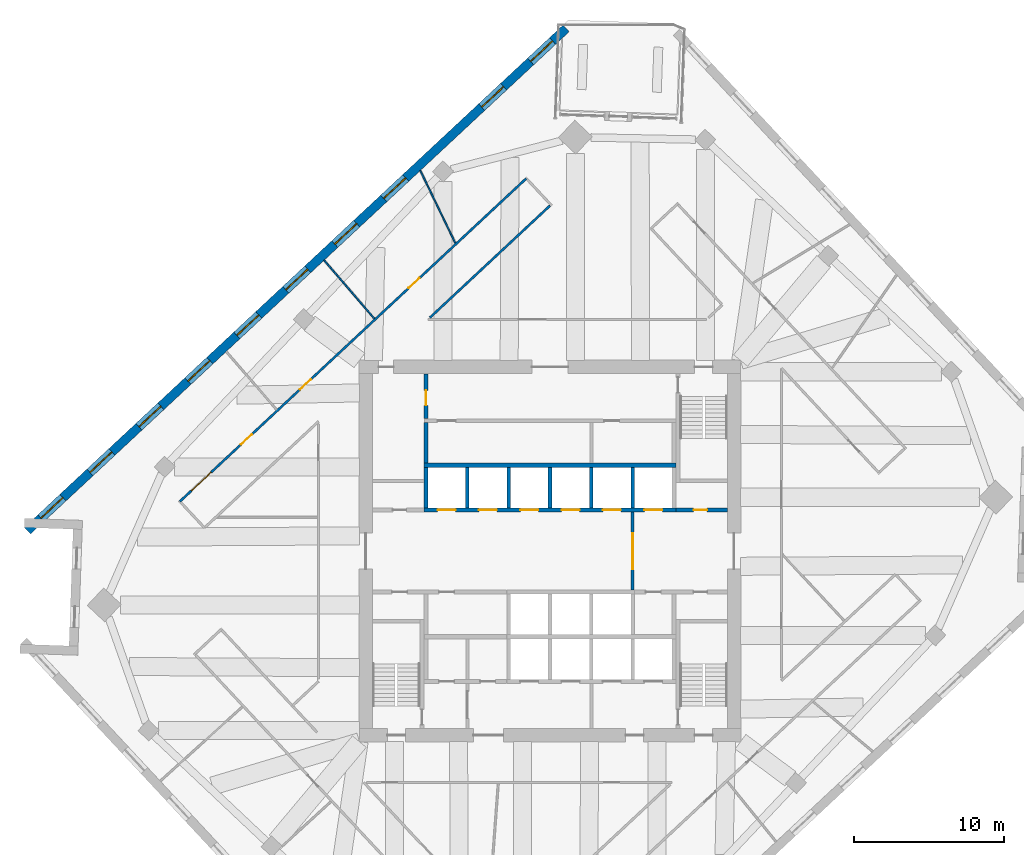
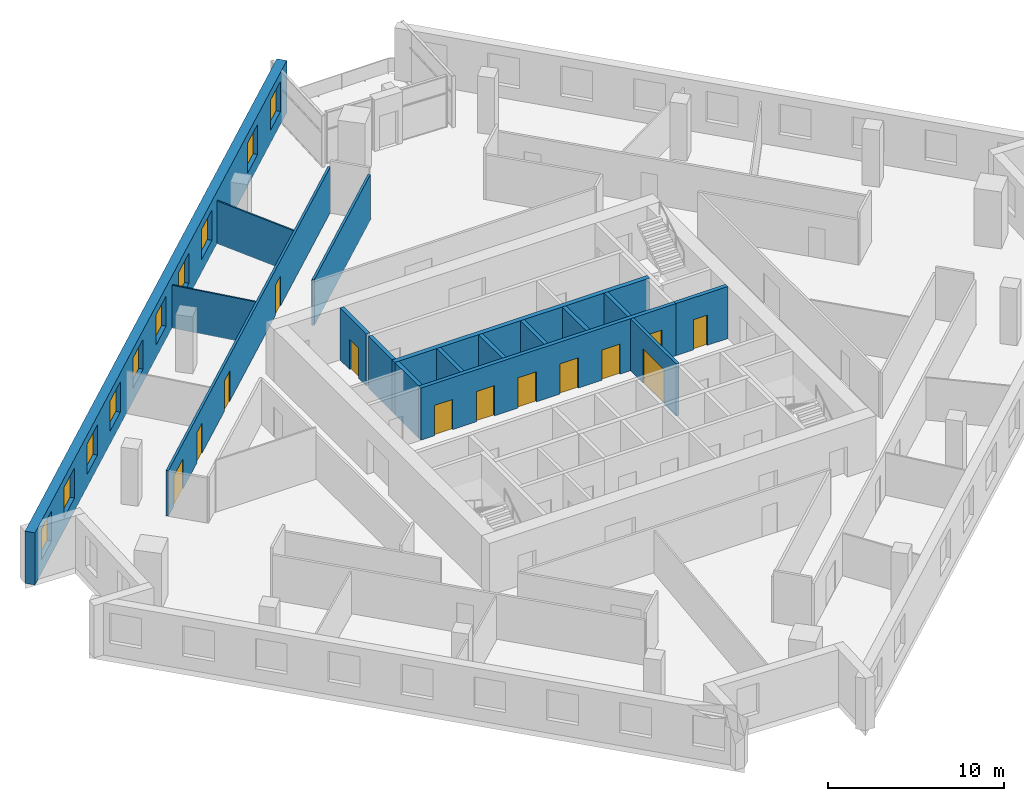
# One storey, part 6 of 10: 17 walls, 13 doors, 10 windows, 23 openings.
"""IFC4 building model written with IfcOpenShell, lengths in metres."""

from ifc_helpers import new_model, si_unit, direction, frame, frame_2d, origin, place, context, subcontext, project, spatial, rectangle, extrude, material, layer, layer_set, type_object, element, fill, save


model = new_model("IFC4")

# Units and contexts
model_context = context("Model", 3, precision=1e-05, world=origin(), true_north=direction((0.0, 1.0)))
body_context = subcontext(model_context, "Body", "Model", "MODEL_VIEW")
ifc_project = project(units=[si_unit("LENGTHUNIT", "METRE"), si_unit("AREAUNIT", "SQUARE_METRE"), si_unit("VOLUMEUNIT", "CUBIC_METRE"), si_unit("PLANEANGLEUNIT", "RADIAN"), si_unit("MASSUNIT", "GRAM", prefix="KILO")], contexts=[model_context])

# Site, building, storey
site_placement = place(None, origin())
site = spatial("IfcSite", under=ifc_project, at=site_placement, CompositionType="ELEMENT")
building_placement = place(site_placement, origin())
building = spatial("IfcBuilding", under=site, at=building_placement, Name="Dilmun Exchange Tower", CompositionType="ELEMENT")
storey_placement = place(building_placement, frame((0.0, 0.0, 197.300048828125)))
storey = spatial("IfcBuildingStorey", under=building, at=storey_placement, Name="L46", CompositionType="ELEMENT", Elevation=197.300048828125)

# Wall, opening, door
ifc_material_1 = material(Name="Concrete C40/50", Category="concrete")
ifc_layer_1 = layer(ifc_material_1, 0.199951171875)
ifc_layer_set_1 = layer_set([ifc_layer_1], Name="Concrete C40/50")
wall_type_1 = type_object("IfcWallType", Name="Core partition wall 200", PredefinedType="PARTITIONING", material=ifc_layer_set_1)
wall_1_placement = place(storey_placement, frame((5.5, -2.594970703125, 0.0), z_axis=(0.0, 0.0, 1.0), x_axis=(0.0, 1.0, 0.0)))
wall_1 = element("IfcWall", 1, at=wall_1_placement, inside=storey, type_object=wall_type_1, Name="L46 core partition wall 11", PredefinedType="PARTITIONING", context=body_context, shape_type="SweptSolid", body=[
    extrude(rectangle(XDim=5.18994140625, YDim=0.199951171875, at=frame_2d((2.594970703125, 0.0))), origin(), (0.0, 0.0, 1.0), 3.619873046875),
])
opening_1_placement = place(wall_1_placement, frame((1.39501953125, 0.0, 0.0)))
opening_1 = element("IfcOpeningElement", 2, at=opening_1_placement, cuts=wall_1, Name="Opening CD1", PredefinedType="OPENING", context=body_context, shape_type="SweptSolid", body=[
    extrude(rectangle(XDim=2.39990234375, YDim=2.39990234375, at=frame_2d((1.199951171875, 1.199951171875))), frame((0.0, 0.10986328125, 0.0), z_axis=(0.0, -1.0, 0.0), x_axis=(1.0, 0.0, 0.0)), (0.0, 0.0, 1.0), 0.219970703125),
])
ifc_material_2 = material(Name="Fire-rated steel door set", Category="steel")
door_type_1 = type_object("IfcDoorType", Name="Core lobby door 2400x2400", OperationType="DOUBLE_DOOR_DOUBLE_SWING", PredefinedType="DOOR", material=ifc_material_2)
door_1_placement = place(opening_1_placement, origin())
door_1 = element("IfcDoor", 3, at=door_1_placement, inside=storey, type_object=door_type_1, Name="L46 door Lift lobby east", OperationType="SINGLE_SWING_LEFT", OverallHeight=2.39990234375, OverallWidth=2.39990234375, PredefinedType="DOOR", context=body_context, shape_type="SweptSolid", body=[
    extrude(rectangle(XDim=2.39990234375, YDim=2.39990234375, at=frame_2d((1.199951171875, 1.199951171875))), frame((0.0, 0.02490234375, 0.0), z_axis=(0.0, -1.0, 0.0), x_axis=(1.0, 0.0, 0.0)), (0.0, 0.0, 1.0), 0.050048828125),
])
fill(opening_1, door_1)

ifc_layer_2 = layer(ifc_material_1, 0.25)
ifc_layer_set_2 = layer_set([ifc_layer_2], Name="Concrete C40/50")
wall_type_2 = type_object("IfcWallType", Name="Core partition wall 250", PredefinedType="PARTITIONING", material=ifc_layer_set_2)
wall_2_placement = place(storey_placement, frame((8.3798828125, 2.72509765625, 0.0), z_axis=(0.0, 0.0, 1.0), x_axis=(1.0, 0.0, 0.0)))
wall_2 = element("IfcWall", 4, at=wall_2_placement, inside=storey, type_object=wall_type_2, Name="L46 core partition wall 13", PredefinedType="PARTITIONING", context=body_context, shape_type="SweptSolid", body=[
    extrude(rectangle(XDim=3.4150390625, YDim=0.25, at=frame_2d((1.70751953125, 0.0))), origin(), (0.0, 0.0, 1.0), 3.619873046875),
])
opening_2_placement = place(wall_2_placement, frame((1.169921875, 0.0, 0.0)))
opening_2 = element("IfcOpeningElement", 5, at=opening_2_placement, cuts=wall_2, Name="Opening CD6", PredefinedType="OPENING", context=body_context, shape_type="SweptSolid", body=[
    extrude(rectangle(XDim=0.89990234375, YDim=2.10009765625, at=frame_2d((0.449951171875, 1.050048828125))), frame((0.0, 0.135009765625, 0.0), z_axis=(0.0, -1.0, 0.0), x_axis=(1.0, 0.0, 0.0)), (0.0, 0.0, 1.0), 0.27001953125),
])
door_type_2 = type_object("IfcDoorType", Name="Core room door 900x2100", OperationType="SINGLE_SWING_LEFT", PredefinedType="DOOR", material=ifc_material_2)
door_2_placement = place(opening_2_placement, origin())
door_2 = element("IfcDoor", 6, at=door_2_placement, inside=storey, type_object=door_type_2, Name="L46 door Electrical riser", OperationType="SINGLE_SWING_LEFT", OverallHeight=2.10009765625, OverallWidth=0.89990234375, PredefinedType="DOOR", context=body_context, shape_type="SweptSolid", body=[
    extrude(rectangle(XDim=0.89990234375, YDim=2.10009765625, at=frame_2d((0.449951171875, 1.050048828125))), frame((0.0, 0.02490234375, 0.0), z_axis=(0.0, -1.0, 0.0), x_axis=(1.0, 0.0, 0.0)), (0.0, 0.0, 1.0), 0.050048828125),
])
fill(opening_2, door_2)

# Wall
wall_3_placement = place(storey_placement, frame((-8.25, 5.85498046875, 0.0), z_axis=(0.0, 0.0, 1.0), x_axis=(0.0, 1.0, 0.0)))
element("IfcWall", 7, at=wall_3_placement, inside=storey, type_object=wall_type_2, Name="L46 core partition wall 15", PredefinedType="PARTITIONING", context=body_context, shape_type="SweptSolid", body=[
    extrude(rectangle(XDim=2.68994140625, YDim=0.25, at=frame_2d((1.344970703125, 0.0))), origin(), (0.0, 0.0, 1.0), 3.619873046875),
])

# Wall, opening, door
wall_4_placement = place(storey_placement, frame((-8.25, 8.804931640625, 0.0), z_axis=(0.0, 0.0, 1.0), x_axis=(0.0, 1.0, 0.0)))
wall_4 = element("IfcWall", 8, at=wall_4_placement, inside=storey, type_object=wall_type_2, Name="L46 core partition wall 19", PredefinedType="PARTITIONING", context=body_context, shape_type="SweptSolid", body=[
    extrude(rectangle(XDim=2.989990234375, YDim=0.25, at=frame_2d((1.4951171875, 0.0))), origin(), (0.0, 0.0, 1.0), 3.619873046875),
])
opening_3_placement = place(wall_4_placement, frame((0.89501953125, 0.0, 0.0)))
opening_3 = element("IfcOpeningElement", 9, at=opening_3_placement, cuts=wall_4, Name="Opening CD4", PredefinedType="OPENING", context=body_context, shape_type="SweptSolid", body=[
    extrude(rectangle(XDim=1.0, YDim=2.10009765625, at=frame_2d((0.5, 1.050048828125))), frame((0.0, 0.135009765625, 0.0), z_axis=(0.0, -1.0, 0.0), x_axis=(1.0, 0.0, 0.0)), (0.0, 0.0, 1.0), 0.27001953125),
])
door_type_3 = type_object("IfcDoorType", Name="Core room door 1000x2100", OperationType="SINGLE_SWING_LEFT", PredefinedType="DOOR", material=ifc_material_2)
door_3_placement = place(opening_3_placement, origin())
door_3 = element("IfcDoor", 10, at=door_3_placement, inside=storey, type_object=door_type_3, Name="L46 door Facilities office", OperationType="SINGLE_SWING_LEFT", OverallHeight=2.10009765625, OverallWidth=1.0, PredefinedType="DOOR", context=body_context, shape_type="SweptSolid", body=[
    extrude(rectangle(XDim=1.0, YDim=2.10009765625, at=frame_2d((0.5, 1.050048828125))), frame((0.0, 0.02490234375, 0.0), z_axis=(0.0, -1.0, 0.0), x_axis=(1.0, 0.0, 0.0)), (0.0, 0.0, 1.0), 0.050048828125),
])
fill(opening_3, door_3)

# Wall, openings, doors
ifc_material_3 = material(Name="Corridor wall 150")
ifc_layer_3 = layer(ifc_material_3, 0.14990234375)
ifc_layer_set_3 = layer_set([ifc_layer_3], Name="Corridor wall 150")
wall_type_3 = type_object("IfcWallType", Name="Corridor wall 150", PredefinedType="PARTITIONING", material=ifc_layer_set_3)
wall_5_placement = place(storey_placement, frame((-24.623046875, 3.301025390625, 0.0), z_axis=(0.0, 0.0, 1.0), x_axis=(0.731351215564, 0.68200102602, 0.0)))
wall_5 = element("IfcWall", 11, at=wall_5_placement, inside=storey, type_object=wall_type_3, Name="Corridor wall", PredefinedType="PARTITIONING", context=body_context, shape_type="SweptSolid", body=[
    extrude(rectangle(XDim=31.51318359375, YDim=0.14990234375, at=frame_2d((15.756591796875, 0.0))), origin(), (0.0, 0.0, 1.0), 3.169921875),
])
opening_4_placement = place(wall_5_placement, frame((1.05029296875, 0.0, 0.0)))
opening_4 = element("IfcOpeningElement", 12, at=opening_4_placement, cuts=wall_5, Name="Opening TF46-D01", PredefinedType="OPENING", context=body_context, shape_type="SweptSolid", body=[
    extrude(rectangle(XDim=1.800048828125, YDim=2.10009765625, at=frame_2d((0.89990234375, 1.050048828125))), frame((0.0, 0.0849609375, 0.0), z_axis=(0.0, -1.0, 0.0), x_axis=(1.0, 0.0, 0.0)), (0.0, 0.0, 1.0), 0.169921875),
])
opening_5_placement = place(wall_5_placement, frame((5.55029296875, 0.0, 0.0)))
opening_5 = element("IfcOpeningElement", 13, at=opening_5_placement, cuts=wall_5, Name="Opening TF46-D02", PredefinedType="OPENING", context=body_context, shape_type="SweptSolid", body=[
    extrude(rectangle(XDim=1.0, YDim=2.10009765625, at=frame_2d((0.5, 1.050048828125))), frame((0.0, 0.0849609375, 0.0), z_axis=(0.0, -1.0, 0.0), x_axis=(1.0, 0.0, 0.0)), (0.0, 0.0, 1.0), 0.169921875),
])
opening_6_placement = place(wall_5_placement, frame((10.91748046875, 0.0, 0.0)))
opening_6 = element("IfcOpeningElement", 14, at=opening_6_placement, cuts=wall_5, Name="Opening TF46-D05", PredefinedType="OPENING", context=body_context, shape_type="SweptSolid", body=[
    extrude(rectangle(XDim=1.0, YDim=2.10009765625, at=frame_2d((0.5, 1.050048828125))), frame((0.0, 0.0849609375, 0.0), z_axis=(0.0, -1.0, 0.0), x_axis=(1.0, 0.0, 0.0)), (0.0, 0.0, 1.0), 0.169921875),
])
opening_7_placement = place(wall_5_placement, frame((20.8125, 0.0, 0.0)))
opening_7 = element("IfcOpeningElement", 15, at=opening_7_placement, cuts=wall_5, Name="Opening TF46-D06", PredefinedType="OPENING", context=body_context, shape_type="SweptSolid", body=[
    extrude(rectangle(XDim=1.0, YDim=2.10009765625, at=frame_2d((0.5, 1.050048828125))), frame((0.0, 0.0849609375, 0.0), z_axis=(0.0, -1.0, 0.0), x_axis=(1.0, 0.0, 0.0)), (0.0, 0.0, 1.0), 0.169921875),
])
ifc_material_4 = material(Name="Fire door 1000 x 2100")
door_type_4 = type_object("IfcDoorType", Name="Fire door 1000 x 2100", OperationType="NOTDEFINED", PredefinedType="DOOR", material=ifc_material_4)
door_4_placement = place(opening_5_placement, origin())
door_4 = element("IfcDoor", 16, at=door_4_placement, inside=storey, type_object=door_type_4, Name="Door TF46-D02", OperationType="SINGLE_SWING_LEFT", OverallHeight=2.10009765625, OverallWidth=1.0, PredefinedType="DOOR", context=body_context, shape_type="SweptSolid", body=[
    extrude(rectangle(XDim=1.0, YDim=2.10009765625, at=frame_2d((0.5, 1.050048828125))), frame((0.0, 0.02490234375, 0.0), z_axis=(0.0, -1.0, 0.0), x_axis=(1.0, 0.0, 0.0)), (0.0, 0.0, 1.0), 0.050048828125),
])
fill(opening_5, door_4)
door_5_placement = place(opening_6_placement, origin())
door_5 = element("IfcDoor", 17, at=door_5_placement, inside=storey, type_object=door_type_4, Name="Door TF46-D05", OperationType="SINGLE_SWING_RIGHT", OverallHeight=2.10009765625, OverallWidth=1.0, PredefinedType="DOOR", context=body_context, shape_type="SweptSolid", body=[
    extrude(rectangle(XDim=1.0, YDim=2.10009765625, at=frame_2d((0.5, 1.050048828125))), frame((0.0, 0.02490234375, 0.0), z_axis=(0.0, -1.0, 0.0), x_axis=(1.0, 0.0, 0.0)), (0.0, 0.0, 1.0), 0.050048828125),
])
fill(opening_6, door_5)
door_6_placement = place(opening_7_placement, origin())
door_6 = element("IfcDoor", 18, at=door_6_placement, inside=storey, type_object=door_type_4, Name="Door TF46-D06", OperationType="SINGLE_SWING_LEFT", OverallHeight=2.10009765625, OverallWidth=1.0, PredefinedType="DOOR", context=body_context, shape_type="SweptSolid", body=[
    extrude(rectangle(XDim=1.0, YDim=2.10009765625, at=frame_2d((0.5, 1.050048828125))), frame((0.0, 0.02490234375, 0.0), z_axis=(0.0, -1.0, 0.0), x_axis=(1.0, 0.0, 0.0)), (0.0, 0.0, 1.0), 0.050048828125),
])
fill(opening_7, door_6)
ifc_material_5 = material(Name="Fire door pair 1800 x 2100")
door_type_5 = type_object("IfcDoorType", Name="Fire door pair 1800 x 2100", OperationType="NOTDEFINED", PredefinedType="DOOR", material=ifc_material_5)
door_7_placement = place(opening_4_placement, origin())
door_7 = element("IfcDoor", 19, at=door_7_placement, inside=storey, type_object=door_type_5, Name="Door TF46-D01", OperationType="DOUBLE_DOOR_SINGLE_SWING", OverallHeight=2.10009765625, OverallWidth=1.800048828125, PredefinedType="DOOR", context=body_context, shape_type="SweptSolid", body=[
    extrude(rectangle(XDim=1.800048828125, YDim=2.10009765625, at=frame_2d((0.89990234375, 1.050048828125))), frame((0.0, 0.02490234375, 0.0), z_axis=(0.0, -1.0, 0.0), x_axis=(1.0, 0.0, 0.0)), (0.0, 0.0, 1.0), 0.050048828125),
])
fill(opening_4, door_7)

# Walls
wall_6_placement = place(storey_placement, frame((-7.98974609375, 15.52978515625, 0.0), z_axis=(0.0, 0.0, 1.0), x_axis=(0.731318077891, 0.682036559834, 0.0)))
element("IfcWall", 20, at=wall_6_placement, inside=storey, type_object=wall_type_3, Name="Corridor wall", PredefinedType="PARTITIONING", context=body_context, shape_type="SweptSolid", body=[
    extrude(rectangle(XDim=10.93359375, YDim=0.14990234375, at=frame_2d((5.466796875, 0.0))), origin(), (0.0, 0.0, 1.0), 3.169921875),
])
ifc_layer_4 = layer(ifc_material_1, 0.300048828125)
ifc_layer_set_4 = layer_set([ifc_layer_4], Name="Concrete C40/50")
wall_type_4 = type_object("IfcWallType", Name="Lift shaft shared wall 300", PredefinedType="SOLIDWALL", material=ifc_layer_set_4)
wall_7_placement = place(storey_placement, frame((-8.375, 5.699951171875, 0.0), z_axis=(0.0, 0.0, 1.0), x_axis=(1.0, 0.0, 0.0)))
element("IfcWall", 21, at=wall_7_placement, inside=storey, type_object=wall_type_4, Name="L46 lift shaft rear wall N", PredefinedType="SOLIDWALL", context=body_context, shape_type="SweptSolid", body=[
    extrude(rectangle(XDim=16.75, YDim=0.300048828125, at=frame_2d((8.375, 0.0))), origin(), (0.0, 0.0, 1.0), 3.619873046875),
])

# Wall, openings, doors
ifc_layer_5 = layer(ifc_material_1, 0.25)
ifc_layer_set_5 = layer_set([ifc_layer_5], Name="Concrete C40/50")
wall_type_5 = type_object("IfcWallType", Name="Lift shaft wall 250", PredefinedType="SOLIDWALL", material=ifc_layer_set_5)
wall_8_placement = place(storey_placement, frame((-8.375, 2.72509765625, 0.0), z_axis=(0.0, 0.0, 1.0), x_axis=(1.0, 0.0, 0.0)))
wall_8 = element("IfcWall", 22, at=wall_8_placement, inside=storey, type_object=wall_type_5, Name="L46 lift shaft front wall N1", PredefinedType="SOLIDWALL", context=body_context, shape_type="SweptSolid", body=[
    extrude(rectangle(XDim=16.75, YDim=0.25, at=frame_2d((8.375, 0.0))), origin(), (0.0, 0.0, 1.0), 3.619873046875),
])
opening_8_placement = place(wall_8_placement, frame((0.89990234375, 0.0, 0.0)))
opening_8 = element("IfcOpeningElement", 23, at=opening_8_placement, cuts=wall_8, Name="Opening LD", PredefinedType="OPENING", context=body_context, shape_type="SweptSolid", body=[
    extrude(rectangle(XDim=1.199951171875, YDim=2.10009765625, at=frame_2d((0.60009765625, 1.050048828125))), frame((0.0, 0.135009765625, 0.0), z_axis=(0.0, -1.0, 0.0), x_axis=(1.0, 0.0, 0.0)), (0.0, 0.0, 1.0), 0.27001953125),
])
opening_9_placement = place(wall_8_placement, frame((3.64990234375, 0.0, 0.0)))
opening_9 = element("IfcOpeningElement", 24, at=opening_9_placement, cuts=wall_8, Name="Opening LD", PredefinedType="OPENING", context=body_context, shape_type="SweptSolid", body=[
    extrude(rectangle(XDim=1.199951171875, YDim=2.10009765625, at=frame_2d((0.60009765625, 1.050048828125))), frame((0.0, 0.135009765625, 0.0), z_axis=(0.0, -1.0, 0.0), x_axis=(1.0, 0.0, 0.0)), (0.0, 0.0, 1.0), 0.27001953125),
])
opening_10_placement = place(wall_8_placement, frame((6.39990234375, 0.0, 0.0)))
opening_10 = element("IfcOpeningElement", 25, at=opening_10_placement, cuts=wall_8, Name="Opening LD", PredefinedType="OPENING", context=body_context, shape_type="SweptSolid", body=[
    extrude(rectangle(XDim=1.199951171875, YDim=2.10009765625, at=frame_2d((0.60009765625, 1.050048828125))), frame((0.0, 0.135009765625, 0.0), z_axis=(0.0, -1.0, 0.0), x_axis=(1.0, 0.0, 0.0)), (0.0, 0.0, 1.0), 0.27001953125),
])
opening_11_placement = place(wall_8_placement, frame((9.14990234375, 0.0, 0.0)))
opening_11 = element("IfcOpeningElement", 26, at=opening_11_placement, cuts=wall_8, Name="Opening LD", PredefinedType="OPENING", context=body_context, shape_type="SweptSolid", body=[
    extrude(rectangle(XDim=1.199951171875, YDim=2.10009765625, at=frame_2d((0.60009765625, 1.050048828125))), frame((0.0, 0.135009765625, 0.0), z_axis=(0.0, -1.0, 0.0), x_axis=(1.0, 0.0, 0.0)), (0.0, 0.0, 1.0), 0.27001953125),
])
opening_12_placement = place(wall_8_placement, frame((11.89990234375, 0.0, 0.0)))
opening_12 = element("IfcOpeningElement", 27, at=opening_12_placement, cuts=wall_8, Name="Opening LD", PredefinedType="OPENING", context=body_context, shape_type="SweptSolid", body=[
    extrude(rectangle(XDim=1.199951171875, YDim=2.10009765625, at=frame_2d((0.60009765625, 1.050048828125))), frame((0.0, 0.135009765625, 0.0), z_axis=(0.0, -1.0, 0.0), x_axis=(1.0, 0.0, 0.0)), (0.0, 0.0, 1.0), 0.27001953125),
])
opening_13_placement = place(wall_8_placement, frame((14.64990234375, 0.0, 0.0)))
opening_13 = element("IfcOpeningElement", 28, at=opening_13_placement, cuts=wall_8, Name="Opening LD", PredefinedType="OPENING", context=body_context, shape_type="SweptSolid", body=[
    extrude(rectangle(XDim=1.199951171875, YDim=2.10009765625, at=frame_2d((0.60009765625, 1.050048828125))), frame((0.0, 0.135009765625, 0.0), z_axis=(0.0, -1.0, 0.0), x_axis=(1.0, 0.0, 0.0)), (0.0, 0.0, 1.0), 0.27001953125),
])
door_type_6 = type_object("IfcDoorType", Name="Lift landing door 1200x2100", OperationType="DOUBLE_DOOR_SLIDING", PredefinedType="DOOR", material=ifc_material_2)
door_8_placement = place(opening_8_placement, origin())
door_8 = element("IfcDoor", 29, at=door_8_placement, inside=storey, type_object=door_type_6, Name="L46 landing door MR1", OperationType="DOUBLE_DOOR_SLIDING", OverallHeight=2.10009765625, OverallWidth=1.199951171875, PredefinedType="DOOR", context=body_context, shape_type="SweptSolid", body=[
    extrude(rectangle(XDim=1.199951171875, YDim=2.10009765625, at=frame_2d((0.60009765625, 1.050048828125))), frame((0.0, 0.02490234375, 0.0), z_axis=(0.0, -1.0, 0.0), x_axis=(1.0, 0.0, 0.0)), (0.0, 0.0, 1.0), 0.050048828125),
])
fill(opening_8, door_8)
door_9_placement = place(opening_9_placement, origin())
door_9 = element("IfcDoor", 30, at=door_9_placement, inside=storey, type_object=door_type_6, Name="L46 landing door MR2", OperationType="DOUBLE_DOOR_SLIDING", OverallHeight=2.10009765625, OverallWidth=1.199951171875, PredefinedType="DOOR", context=body_context, shape_type="SweptSolid", body=[
    extrude(rectangle(XDim=1.199951171875, YDim=2.10009765625, at=frame_2d((0.60009765625, 1.050048828125))), frame((0.0, 0.02490234375, 0.0), z_axis=(0.0, -1.0, 0.0), x_axis=(1.0, 0.0, 0.0)), (0.0, 0.0, 1.0), 0.050048828125),
])
fill(opening_9, door_9)
door_10_placement = place(opening_10_placement, origin())
door_10 = element("IfcDoor", 31, at=door_10_placement, inside=storey, type_object=door_type_6, Name="L46 landing door MR3", OperationType="DOUBLE_DOOR_SLIDING", OverallHeight=2.10009765625, OverallWidth=1.199951171875, PredefinedType="DOOR", context=body_context, shape_type="SweptSolid", body=[
    extrude(rectangle(XDim=1.199951171875, YDim=2.10009765625, at=frame_2d((0.60009765625, 1.050048828125))), frame((0.0, 0.02490234375, 0.0), z_axis=(0.0, -1.0, 0.0), x_axis=(1.0, 0.0, 0.0)), (0.0, 0.0, 1.0), 0.050048828125),
])
fill(opening_10, door_10)
door_11_placement = place(opening_11_placement, origin())
door_11 = element("IfcDoor", 32, at=door_11_placement, inside=storey, type_object=door_type_6, Name="L46 landing door MR4", OperationType="DOUBLE_DOOR_SLIDING", OverallHeight=2.10009765625, OverallWidth=1.199951171875, PredefinedType="DOOR", context=body_context, shape_type="SweptSolid", body=[
    extrude(rectangle(XDim=1.199951171875, YDim=2.10009765625, at=frame_2d((0.60009765625, 1.050048828125))), frame((0.0, 0.02490234375, 0.0), z_axis=(0.0, -1.0, 0.0), x_axis=(1.0, 0.0, 0.0)), (0.0, 0.0, 1.0), 0.050048828125),
])
fill(opening_11, door_11)
door_12_placement = place(opening_12_placement, origin())
door_12 = element("IfcDoor", 33, at=door_12_placement, inside=storey, type_object=door_type_6, Name="L46 landing door MR5", OperationType="DOUBLE_DOOR_SLIDING", OverallHeight=2.10009765625, OverallWidth=1.199951171875, PredefinedType="DOOR", context=body_context, shape_type="SweptSolid", body=[
    extrude(rectangle(XDim=1.199951171875, YDim=2.10009765625, at=frame_2d((0.60009765625, 1.050048828125))), frame((0.0, 0.02490234375, 0.0), z_axis=(0.0, -1.0, 0.0), x_axis=(1.0, 0.0, 0.0)), (0.0, 0.0, 1.0), 0.050048828125),
])
fill(opening_12, door_12)
door_13_placement = place(opening_13_placement, origin())
door_13 = element("IfcDoor", 34, at=door_13_placement, inside=storey, type_object=door_type_6, Name="L46 landing door MR6", OperationType="DOUBLE_DOOR_SLIDING", OverallHeight=2.10009765625, OverallWidth=1.199951171875, PredefinedType="DOOR", context=body_context, shape_type="SweptSolid", body=[
    extrude(rectangle(XDim=1.199951171875, YDim=2.10009765625, at=frame_2d((0.60009765625, 1.050048828125))), frame((0.0, 0.02490234375, 0.0), z_axis=(0.0, -1.0, 0.0), x_axis=(1.0, 0.0, 0.0)), (0.0, 0.0, 1.0), 0.050048828125),
])
fill(opening_13, door_13)

# Walls
for number, where, z_axis, x_axis, name in (
    (35, (-8.25, 2.85009765625, 0.0), (0.0, 0.0, 1.0), (0.0, 1.0, 0.0), "L46 lift shaft divider N10"),
    (36, (-5.5, 2.85009765625, 0.0), (0.0, 0.0, 1.0), (0.0, 1.0, 0.0), "L46 lift shaft divider N11"),
    (37, (-2.75, 2.85009765625, 0.0), (0.0, 0.0, 1.0), (0.0, 1.0, 0.0), "L46 lift shaft divider N12"),
    (38, (0.0, 2.85009765625, 0.0), (0.0, 0.0, 1.0), (0.0, 1.0, 0.0), "L46 lift shaft divider N13"),
    (39, (2.75, 2.85009765625, 0.0), (0.0, 0.0, 1.0), (0.0, 1.0, 0.0), "L46 lift shaft divider N14"),
    (40, (5.5, 2.85009765625, 0.0), (0.0, 0.0, 1.0), (0.0, 1.0, 0.0), "L46 lift shaft divider N15"),
):
    element("IfcWall", number, at=place(storey_placement, frame(where, z_axis=z_axis, x_axis=x_axis)), inside=storey, type_object=wall_type_5, Name=name, PredefinedType="SOLIDWALL", context=body_context, shape_type="SweptSolid", body=[
        extrude(rectangle(XDim=2.699951171875, YDim=0.25, at=frame_2d((1.35009765625, 0.0))), origin(), (0.0, 0.0, 1.0), 3.619873046875),
    ])
ifc_material_6 = material(Name="Partition 100")
ifc_layer_6 = layer(ifc_material_6, 0.10009765625)
ifc_layer_set_6 = layer_set([ifc_layer_6], Name="Partition 100")
wall_type_6 = type_object("IfcWallType", Name="Partition 100", PredefinedType="PARTITIONING", material=ifc_layer_set_6)
wall_9_placement = place(storey_placement, frame((-15.027099609375, 19.346923828125, 0.0), z_axis=(0.0, 0.0, 1.0), x_axis=(0.653552799086, -0.75688092776, 0.0)))
element("IfcWall", 41, at=wall_9_placement, inside=storey, type_object=wall_type_6, Name="Partition", PredefinedType="PARTITIONING", context=body_context, shape_type="SweptSolid", body=[
    extrude(rectangle(XDim=5.11767578125, YDim=0.10009765625, at=frame_2d((2.558837890625, 0.0))), origin(), (0.0, 0.0, 1.0), 2.969970703125),
])
wall_10_placement = place(storey_placement, frame((-8.627685546875, 25.314697265625, 0.0), z_axis=(0.0, 0.0, 1.0), x_axis=(0.435360143591, -0.900256377579, 0.0)))
element("IfcWall", 42, at=wall_10_placement, inside=storey, type_object=wall_type_6, Name="Partition", PredefinedType="PARTITIONING", context=body_context, shape_type="SweptSolid", body=[
    extrude(rectangle(XDim=5.33984375, YDim=0.10009765625, at=frame_2d((2.669921875, 0.0))), origin(), (0.0, 0.0, 1.0), 2.969970703125),
])

# Wall, openings, windows
ifc_material_7 = material(Name="Precast concrete C50/60", Category="concrete")
ifc_layer_7 = layer(ifc_material_7, 0.60009765625)
ifc_layer_set_7 = layer_set([ifc_layer_7], Name="Precast concrete C50/60")
wall_type_7 = type_object("IfcWallType", Name="Precast stone-clad wall 600", PredefinedType="STANDARD", material=ifc_layer_set_7)
wall_11_placement = place(storey_placement, frame((1.07275390625, 34.7734375, 0.0), z_axis=(0.0, 0.0, 1.0), x_axis=(-0.731351780381, -0.682000420333, 0.0)))
wall_11 = element("IfcWall", 43, at=wall_11_placement, inside=storey, type_object=wall_type_7, Name="Facade wall L46-03", PredefinedType="STANDARD", context=body_context, shape_type="SweptSolid", body=[
    extrude(rectangle(XDim=49.0, YDim=0.60009765625, at=frame_2d((24.5, 0.0))), origin(), (0.0, 0.0, 1.0), 3.619873046875),
])
opening_14_placement = place(wall_11_placement, frame((1.227294921875, 0.0, 0.89990234375)))
opening_14 = element("IfcOpeningElement", 44, at=opening_14_placement, cuts=wall_11, Name="Opening W200-210", PredefinedType="OPENING", context=body_context, shape_type="SweptSolid", body=[
    extrude(rectangle(XDim=2.0, YDim=2.10009765625, at=frame_2d((1.0, 1.050048828125))), frame((0.0, 0.31005859375, 0.0), z_axis=(0.0, -1.0, 0.0), x_axis=(1.0, 0.0, 0.0)), (0.0, 0.0, 1.0), 0.6201171875),
])
opening_15_placement = place(wall_11_placement, frame((5.681884765625, 0.0, 0.89990234375)))
opening_15 = element("IfcOpeningElement", 45, at=opening_15_placement, cuts=wall_11, Name="Opening W200-210", PredefinedType="OPENING", context=body_context, shape_type="SweptSolid", body=[
    extrude(rectangle(XDim=2.0, YDim=2.10009765625, at=frame_2d((1.0, 1.050048828125))), frame((0.0, 0.31005859375, 0.0), z_axis=(0.0, -1.0, 0.0), x_axis=(1.0, 0.0, 0.0)), (0.0, 0.0, 1.0), 0.6201171875),
])
opening_16_placement = place(wall_11_placement, frame((14.5908203125, 0.0, 0.89990234375)))
opening_16 = element("IfcOpeningElement", 46, at=opening_16_placement, cuts=wall_11, Name="Opening W200-210", PredefinedType="OPENING", context=body_context, shape_type="SweptSolid", body=[
    extrude(rectangle(XDim=2.0, YDim=2.10009765625, at=frame_2d((1.0, 1.050048828125))), frame((0.0, 0.31005859375, 0.0), z_axis=(0.0, -1.0, 0.0), x_axis=(1.0, 0.0, 0.0)), (0.0, 0.0, 1.0), 0.6201171875),
])
opening_17_placement = place(wall_11_placement, frame((19.04541015625, 0.0, 0.89990234375)))
opening_17 = element("IfcOpeningElement", 47, at=opening_17_placement, cuts=wall_11, Name="Opening W200-210", PredefinedType="OPENING", context=body_context, shape_type="SweptSolid", body=[
    extrude(rectangle(XDim=2.0, YDim=2.10009765625, at=frame_2d((1.0, 1.050048828125))), frame((0.0, 0.31005859375, 0.0), z_axis=(0.0, -1.0, 0.0), x_axis=(1.0, 0.0, 0.0)), (0.0, 0.0, 1.0), 0.6201171875),
])
opening_18_placement = place(wall_11_placement, frame((23.5, 0.0, 0.89990234375)))
opening_18 = element("IfcOpeningElement", 48, at=opening_18_placement, cuts=wall_11, Name="Opening W200-210", PredefinedType="OPENING", context=body_context, shape_type="SweptSolid", body=[
    extrude(rectangle(XDim=2.0, YDim=2.10009765625, at=frame_2d((1.0, 1.050048828125))), frame((0.0, 0.31005859375, 0.0), z_axis=(0.0, -1.0, 0.0), x_axis=(1.0, 0.0, 0.0)), (0.0, 0.0, 1.0), 0.6201171875),
])
opening_19_placement = place(wall_11_placement, frame((27.95458984375, 0.0, 0.89990234375)))
opening_19 = element("IfcOpeningElement", 49, at=opening_19_placement, cuts=wall_11, Name="Opening W200-210", PredefinedType="OPENING", context=body_context, shape_type="SweptSolid", body=[
    extrude(rectangle(XDim=2.0, YDim=2.10009765625, at=frame_2d((1.0, 1.050048828125))), frame((0.0, 0.31005859375, 0.0), z_axis=(0.0, -1.0, 0.0), x_axis=(1.0, 0.0, 0.0)), (0.0, 0.0, 1.0), 0.6201171875),
])
opening_20_placement = place(wall_11_placement, frame((32.4091796875, 0.0, 0.89990234375)))
opening_20 = element("IfcOpeningElement", 50, at=opening_20_placement, cuts=wall_11, Name="Opening W200-210", PredefinedType="OPENING", context=body_context, shape_type="SweptSolid", body=[
    extrude(rectangle(XDim=2.0, YDim=2.10009765625, at=frame_2d((1.0, 1.050048828125))), frame((0.0, 0.31005859375, 0.0), z_axis=(0.0, -1.0, 0.0), x_axis=(1.0, 0.0, 0.0)), (0.0, 0.0, 1.0), 0.6201171875),
])
opening_21_placement = place(wall_11_placement, frame((36.863525390625, 0.0, 0.89990234375)))
opening_21 = element("IfcOpeningElement", 51, at=opening_21_placement, cuts=wall_11, Name="Opening W200-210", PredefinedType="OPENING", context=body_context, shape_type="SweptSolid", body=[
    extrude(rectangle(XDim=2.0, YDim=2.10009765625, at=frame_2d((1.0, 1.050048828125))), frame((0.0, 0.31005859375, 0.0), z_axis=(0.0, -1.0, 0.0), x_axis=(1.0, 0.0, 0.0)), (0.0, 0.0, 1.0), 0.6201171875),
])
opening_22_placement = place(wall_11_placement, frame((41.318115234375, 0.0, 0.89990234375)))
opening_22 = element("IfcOpeningElement", 52, at=opening_22_placement, cuts=wall_11, Name="Opening W200-210", PredefinedType="OPENING", context=body_context, shape_type="SweptSolid", body=[
    extrude(rectangle(XDim=2.0, YDim=2.10009765625, at=frame_2d((1.0, 1.050048828125))), frame((0.0, 0.31005859375, 0.0), z_axis=(0.0, -1.0, 0.0), x_axis=(1.0, 0.0, 0.0)), (0.0, 0.0, 1.0), 0.6201171875),
])
opening_23_placement = place(wall_11_placement, frame((45.772705078125, 0.0, 0.89990234375)))
opening_23 = element("IfcOpeningElement", 53, at=opening_23_placement, cuts=wall_11, Name="Opening W200-210", PredefinedType="OPENING", context=body_context, shape_type="SweptSolid", body=[
    extrude(rectangle(XDim=2.0, YDim=2.10009765625, at=frame_2d((1.0, 1.050048828125))), frame((0.0, 0.31005859375, 0.0), z_axis=(0.0, -1.0, 0.0), x_axis=(1.0, 0.0, 0.0)), (0.0, 0.0, 1.0), 0.6201171875),
])
ifc_material_8 = material(Name="Clear low-emissivity glass in aluminium frame", Category="aluminium")
window_type = type_object("IfcWindowType", Name="Punched window 2000 x 2100", PartitioningType="DOUBLE_PANEL_VERTICAL", PredefinedType="WINDOW", material=ifc_material_8)
window_1_placement = place(opening_14_placement, origin())
window_1 = element("IfcWindow", 54, at=window_1_placement, inside=storey, type_object=window_type, Name="Window 4.1", OverallHeight=2.10009765625, OverallWidth=2.0, PartitioningType="SINGLE_PANEL", PredefinedType="WINDOW", context=body_context, shape_type="SweptSolid", body=[
    extrude(rectangle(XDim=2.0, YDim=2.10009765625, at=frame_2d((1.0, 1.050048828125))), frame((0.0, 0.030029296875, 0.0), z_axis=(0.0, -1.0, 0.0), x_axis=(1.0, 0.0, 0.0)), (0.0, 0.0, 1.0), 0.06005859375),
])
fill(opening_14, window_1)
window_2_placement = place(opening_15_placement, origin())
window_2 = element("IfcWindow", 55, at=window_2_placement, inside=storey, type_object=window_type, Name="Window 4.2", OverallHeight=2.10009765625, OverallWidth=2.0, PartitioningType="SINGLE_PANEL", PredefinedType="WINDOW", context=body_context, shape_type="SweptSolid", body=[
    extrude(rectangle(XDim=2.0, YDim=2.10009765625, at=frame_2d((1.0, 1.050048828125))), frame((0.0, 0.030029296875, 0.0), z_axis=(0.0, -1.0, 0.0), x_axis=(1.0, 0.0, 0.0)), (0.0, 0.0, 1.0), 0.06005859375),
])
fill(opening_15, window_2)
window_3_placement = place(opening_16_placement, origin())
window_3 = element("IfcWindow", 56, at=window_3_placement, inside=storey, type_object=window_type, Name="Window 4.4", OverallHeight=2.10009765625, OverallWidth=2.0, PartitioningType="SINGLE_PANEL", PredefinedType="WINDOW", context=body_context, shape_type="SweptSolid", body=[
    extrude(rectangle(XDim=2.0, YDim=2.10009765625, at=frame_2d((1.0, 1.050048828125))), frame((0.0, 0.030029296875, 0.0), z_axis=(0.0, -1.0, 0.0), x_axis=(1.0, 0.0, 0.0)), (0.0, 0.0, 1.0), 0.06005859375),
])
fill(opening_16, window_3)
window_4_placement = place(opening_17_placement, origin())
window_4 = element("IfcWindow", 57, at=window_4_placement, inside=storey, type_object=window_type, Name="Window 4.5", OverallHeight=2.10009765625, OverallWidth=2.0, PartitioningType="SINGLE_PANEL", PredefinedType="WINDOW", context=body_context, shape_type="SweptSolid", body=[
    extrude(rectangle(XDim=2.0, YDim=2.10009765625, at=frame_2d((1.0, 1.050048828125))), frame((0.0, 0.030029296875, 0.0), z_axis=(0.0, -1.0, 0.0), x_axis=(1.0, 0.0, 0.0)), (0.0, 0.0, 1.0), 0.06005859375),
])
fill(opening_17, window_4)
window_5_placement = place(opening_18_placement, origin())
window_5 = element("IfcWindow", 58, at=window_5_placement, inside=storey, type_object=window_type, Name="Window 4.6", OverallHeight=2.10009765625, OverallWidth=2.0, PartitioningType="SINGLE_PANEL", PredefinedType="WINDOW", context=body_context, shape_type="SweptSolid", body=[
    extrude(rectangle(XDim=2.0, YDim=2.10009765625, at=frame_2d((1.0, 1.050048828125))), frame((0.0, 0.030029296875, 0.0), z_axis=(0.0, -1.0, 0.0), x_axis=(1.0, 0.0, 0.0)), (0.0, 0.0, 1.0), 0.06005859375),
])
fill(opening_18, window_5)
window_6_placement = place(opening_19_placement, origin())
window_6 = element("IfcWindow", 59, at=window_6_placement, inside=storey, type_object=window_type, Name="Window 4.7", OverallHeight=2.10009765625, OverallWidth=2.0, PartitioningType="SINGLE_PANEL", PredefinedType="WINDOW", context=body_context, shape_type="SweptSolid", body=[
    extrude(rectangle(XDim=2.0, YDim=2.10009765625, at=frame_2d((1.0, 1.050048828125))), frame((0.0, 0.030029296875, 0.0), z_axis=(0.0, -1.0, 0.0), x_axis=(1.0, 0.0, 0.0)), (0.0, 0.0, 1.0), 0.06005859375),
])
fill(opening_19, window_6)
window_7_placement = place(opening_20_placement, origin())
window_7 = element("IfcWindow", 60, at=window_7_placement, inside=storey, type_object=window_type, Name="Window 4.8", OverallHeight=2.10009765625, OverallWidth=2.0, PartitioningType="SINGLE_PANEL", PredefinedType="WINDOW", context=body_context, shape_type="SweptSolid", body=[
    extrude(rectangle(XDim=2.0, YDim=2.10009765625, at=frame_2d((1.0, 1.050048828125))), frame((0.0, 0.030029296875, 0.0), z_axis=(0.0, -1.0, 0.0), x_axis=(1.0, 0.0, 0.0)), (0.0, 0.0, 1.0), 0.06005859375),
])
fill(opening_20, window_7)
window_8_placement = place(opening_21_placement, origin())
window_8 = element("IfcWindow", 61, at=window_8_placement, inside=storey, type_object=window_type, Name="Window 4.9", OverallHeight=2.10009765625, OverallWidth=2.0, PartitioningType="SINGLE_PANEL", PredefinedType="WINDOW", context=body_context, shape_type="SweptSolid", body=[
    extrude(rectangle(XDim=2.0, YDim=2.10009765625, at=frame_2d((1.0, 1.050048828125))), frame((0.0, 0.030029296875, 0.0), z_axis=(0.0, -1.0, 0.0), x_axis=(1.0, 0.0, 0.0)), (0.0, 0.0, 1.0), 0.06005859375),
])
fill(opening_21, window_8)
window_9_placement = place(opening_22_placement, origin())
window_9 = element("IfcWindow", 62, at=window_9_placement, inside=storey, type_object=window_type, Name="Window 4.10", OverallHeight=2.10009765625, OverallWidth=2.0, PartitioningType="SINGLE_PANEL", PredefinedType="WINDOW", context=body_context, shape_type="SweptSolid", body=[
    extrude(rectangle(XDim=2.0, YDim=2.10009765625, at=frame_2d((1.0, 1.050048828125))), frame((0.0, 0.030029296875, 0.0), z_axis=(0.0, -1.0, 0.0), x_axis=(1.0, 0.0, 0.0)), (0.0, 0.0, 1.0), 0.06005859375),
])
fill(opening_22, window_9)
window_10_placement = place(opening_23_placement, origin())
window_10 = element("IfcWindow", 63, at=window_10_placement, inside=storey, type_object=window_type, Name="Window 4.11", OverallHeight=2.10009765625, OverallWidth=2.0, PartitioningType="SINGLE_PANEL", PredefinedType="WINDOW", context=body_context, shape_type="SweptSolid", body=[
    extrude(rectangle(XDim=2.0, YDim=2.10009765625, at=frame_2d((1.0, 1.050048828125))), frame((0.0, 0.030029296875, 0.0), z_axis=(0.0, -1.0, 0.0), x_axis=(1.0, 0.0, 0.0)), (0.0, 0.0, 1.0), 0.06005859375),
])
fill(opening_23, window_10)

save(model, "model.ifc")
